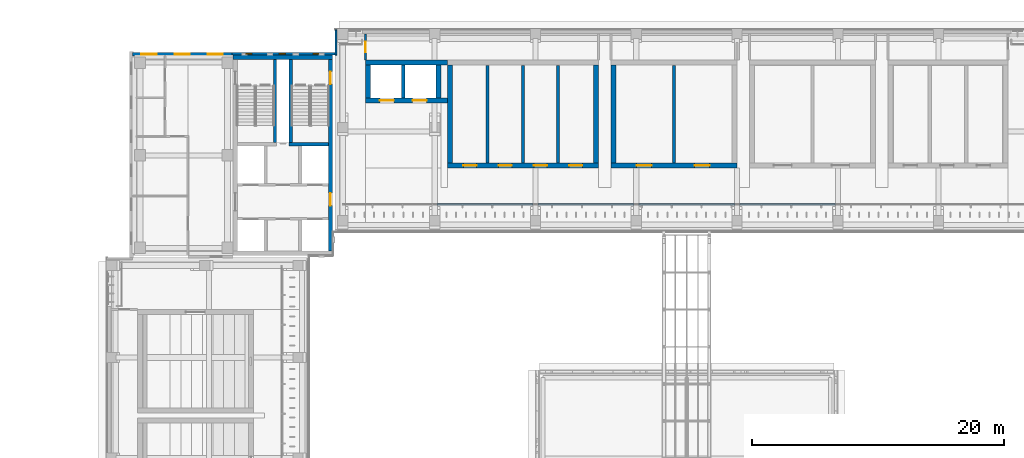
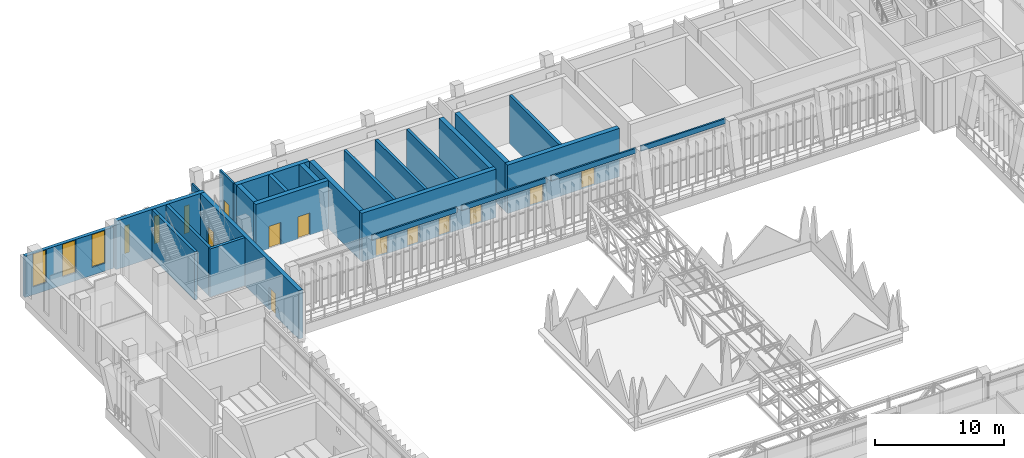
# One storey, part 111 of 141: 27 walls, 11 doors, 6 windows, 17 openings.
"""IFC4 building model written with IfcOpenShell, lengths in metres."""

from ifc_helpers import new_model, si_unit, direction, frame, frame_2d, origin, place, context, subcontext, project, spatial, rectangle, extrude, material, layer, layer_set, type_object, element, fill, save


model = new_model("IFC4")

# Units and contexts
model_context = context("Model", 3, precision=1e-05, world=origin(), true_north=direction((0.0, 1.0)))
body_context = subcontext(model_context, "Body", "Model", "MODEL_VIEW")
ifc_project = project(units=[si_unit("LENGTHUNIT", "METRE"), si_unit("AREAUNIT", "SQUARE_METRE"), si_unit("VOLUMEUNIT", "CUBIC_METRE"), si_unit("PLANEANGLEUNIT", "RADIAN"), si_unit("MASSUNIT", "GRAM", prefix="KILO")], contexts=[model_context])

# Site, building, storey
site_placement = place(None, origin())
site = spatial("IfcSite", under=ifc_project, at=site_placement, CompositionType="ELEMENT")
building_placement = place(site_placement, origin())
building = spatial("IfcBuilding", under=site, at=building_placement, Name="Lantern Court Media Centre", CompositionType="ELEMENT")
storey_placement = place(building_placement, frame((0.0, 0.0, 9.60009765625)))
storey = spatial("IfcBuildingStorey", under=building, at=storey_placement, Name="L02", CompositionType="ELEMENT", Elevation=9.60009765625)

# Walls
ifc_material_1 = material(Name="Acoustic gypsum board")
ifc_layer_1 = layer(ifc_material_1, 0.25)
ifc_layer_set_1 = layer_set([ifc_layer_1], Name="Acoustic gypsum board")
wall_type_1 = type_object("IfcWallType", Name="Acoustic partition 250", PredefinedType="PARTITIONING", material=ifc_layer_set_1)
for number, where, z_axis, x_axis, name in (
    (1, (36.199951171875, 103.455078125, 0.0), (0.0, 0.0, 1.0), (0.0, 1.0, 0.0), "L02 partition 011"),
    (2, (39.0, 103.455078125, 0.0), (0.0, 0.0, 1.0), (0.0, 1.0, 0.0), "L02 partition 012"),
    (3, (41.800048828125, 103.455078125, 0.0), (0.0, 0.0, 1.0), (0.0, 1.0, 0.0), "L02 partition 013"),
    (4, (51.0, 103.455078125, 0.0), (0.0, 0.0, 1.0), (0.0, 1.0, 0.0), "L02 partition 015"),
):
    element("IfcWall", number, at=place(storey_placement, frame(where, z_axis=z_axis, x_axis=x_axis)), inside=storey, type_object=wall_type_1, Name=name, PredefinedType="PARTITIONING", context=body_context, shape_type="SweptSolid", body=[
        extrude(rectangle(XDim=7.739990234375, YDim=0.25, at=frame_2d((3.8701171875, 0.0))), origin(), (0.0, 0.0, 1.0), 4.559814453125),
    ])
ifc_material_2 = material(Name="Insulated rendered blockwork", Category="masonry")
ifc_layer_2 = layer(ifc_material_2, 0.14990234375)
ifc_layer_set_2 = layer_set([ifc_layer_2], Name="Insulated rendered blockwork")
wall_type_2 = type_object("IfcWallType", Name="Head infill wall 150", PredefinedType="SOLIDWALL", material=ifc_layer_set_2)
for number, where, z_axis, x_axis, name in (
    (5, (32.199951171875, 100.14990234375, 4.099853515625), (0.0, 0.0, 1.0), (1.0, 0.0, 0.0), "Head infill wall N inner L02"),
    (6, (40.199951171875, 100.14990234375, 4.099853515625), (0.0, 0.0, 1.0), (1.0, 0.0, 0.0), "Head infill wall N inner L02"),
    (7, (48.199951171875, 100.14990234375, 4.099853515625), (0.0, 0.0, 1.0), (1.0, 0.0, 0.0), "Head infill wall N inner L02"),
    (8, (56.199951171875, 100.14990234375, 4.099853515625), (0.0, 0.0, 1.0), (1.0, 0.0, 0.0), "Head infill wall N inner L02"),
):
    element("IfcWall", number, at=place(storey_placement, frame(where, z_axis=z_axis, x_axis=x_axis)), inside=storey, type_object=wall_type_2, Name=name, PredefinedType="SOLIDWALL", context=body_context, shape_type="SweptSolid", body=[
        extrude(rectangle(XDim=7.60009765625, YDim=0.14990234375, at=frame_2d((3.800048828125, 0.0))), origin(), (0.0, 0.0, 1.0), 0.47998046875),
    ])

# Wall, openings, windows
ifc_material_3 = material(Name="Honed limestone cladding on blockwork", Category="masonry")
ifc_layer_3 = layer(ifc_material_3, 0.300048828125)
ifc_layer_set_3 = layer_set([ifc_layer_3], Name="Honed limestone cladding on blockwork")
wall_type_3 = type_object("IfcWallType", Name="Limestone block wall 300", PredefinedType="SOLIDWALL", material=ifc_layer_set_3)
wall_1_placement = place(storey_placement, frame((8.0, 112.070068359375, 0.0), z_axis=(0.0, 0.0, 1.0), x_axis=(1.0, 0.0, 0.0)))
wall_1 = element("IfcWall", 9, at=wall_1_placement, inside=storey, type_object=wall_type_3, Name="Limestone wall NW N L02", PredefinedType="SOLIDWALL", context=body_context, shape_type="SweptSolid", body=[
    extrude(rectangle(XDim=7.89990234375, YDim=0.300048828125, at=frame_2d((3.949951171875, 0.0))), origin(), (0.0, 0.0, 1.0), 3.89990234375),
])
opening_1_placement = place(wall_1_placement, frame((0.716552734375, 0.0, 0.75)))
opening_1 = element("IfcOpeningElement", 10, at=opening_1_placement, cuts=wall_1, Name="Opening WN-T", PredefinedType="OPENING", context=body_context, shape_type="SweptSolid", body=[
    extrude(rectangle(XDim=1.199951171875, YDim=3.10009765625, at=frame_2d((0.60009765625, 1.550048828125))), frame((0.0, 0.159912109375, 0.0), z_axis=(0.0, -1.0, 0.0), x_axis=(1.0, 0.0, 0.0)), (0.0, 0.0, 1.0), 0.320068359375),
])
opening_2_placement = place(wall_1_placement, frame((3.35009765625, 0.0, 0.75)))
opening_2 = element("IfcOpeningElement", 11, at=opening_2_placement, cuts=wall_1, Name="Opening WN-T", PredefinedType="OPENING", context=body_context, shape_type="SweptSolid", body=[
    extrude(rectangle(XDim=1.199951171875, YDim=3.10009765625, at=frame_2d((0.60009765625, 1.550048828125))), frame((0.0, 0.159912109375, 0.0), z_axis=(0.0, -1.0, 0.0), x_axis=(1.0, 0.0, 0.0)), (0.0, 0.0, 1.0), 0.320068359375),
])
opening_3_placement = place(wall_1_placement, frame((5.9833984375, 0.0, 0.75)))
opening_3 = element("IfcOpeningElement", 12, at=opening_3_placement, cuts=wall_1, Name="Opening WN-T", PredefinedType="OPENING", context=body_context, shape_type="SweptSolid", body=[
    extrude(rectangle(XDim=1.199951171875, YDim=3.10009765625, at=frame_2d((0.60009765625, 1.550048828125))), frame((0.0, 0.159912109375, 0.0), z_axis=(0.0, -1.0, 0.0), x_axis=(1.0, 0.0, 0.0)), (0.0, 0.0, 1.0), 0.320068359375),
])
ifc_material_4 = material(Name="Anodised aluminium and glass", Category="aluminium")
window_type_1 = type_object("IfcWindowType", Name="Tall window 1200x3100", PartitioningType="SINGLE_PANEL", PredefinedType="WINDOW", material=ifc_material_4)
window_1_placement = place(opening_1_placement, origin())
window_1 = element("IfcWindow", 13, at=window_1_placement, inside=storey, type_object=window_type_1, Name="Window NW N L02", OverallHeight=3.10009765625, OverallWidth=1.199951171875, PartitioningType="SINGLE_PANEL", PredefinedType="WINDOW", context=body_context, shape_type="SweptSolid", body=[
    extrude(rectangle(XDim=1.199951171875, YDim=3.10009765625, at=frame_2d((0.60009765625, 1.550048828125))), frame((0.0, 0.030029296875, 0.0), z_axis=(0.0, -1.0, 0.0), x_axis=(1.0, 0.0, 0.0)), (0.0, 0.0, 1.0), 0.06005859375),
])
fill(opening_1, window_1)
window_2_placement = place(opening_2_placement, origin())
window_2 = element("IfcWindow", 14, at=window_2_placement, inside=storey, type_object=window_type_1, Name="Window NW N L02", OverallHeight=3.10009765625, OverallWidth=1.199951171875, PartitioningType="SINGLE_PANEL", PredefinedType="WINDOW", context=body_context, shape_type="SweptSolid", body=[
    extrude(rectangle(XDim=1.199951171875, YDim=3.10009765625, at=frame_2d((0.60009765625, 1.550048828125))), frame((0.0, 0.030029296875, 0.0), z_axis=(0.0, -1.0, 0.0), x_axis=(1.0, 0.0, 0.0)), (0.0, 0.0, 1.0), 0.06005859375),
])
fill(opening_2, window_2)
window_3_placement = place(opening_3_placement, origin())
window_3 = element("IfcWindow", 15, at=window_3_placement, inside=storey, type_object=window_type_1, Name="Window NW N L02", OverallHeight=3.10009765625, OverallWidth=1.199951171875, PartitioningType="SINGLE_PANEL", PredefinedType="WINDOW", context=body_context, shape_type="SweptSolid", body=[
    extrude(rectangle(XDim=1.199951171875, YDim=3.10009765625, at=frame_2d((0.60009765625, 1.550048828125))), frame((0.0, 0.030029296875, 0.0), z_axis=(0.0, -1.0, 0.0), x_axis=(1.0, 0.0, 0.0)), (0.0, 0.0, 1.0), 0.06005859375),
])
fill(opening_3, window_3)

# Wall
ifc_layer_4 = layer(ifc_material_3, 0.139892578125)
ifc_layer_set_4 = layer_set([ifc_layer_4], Name="Honed limestone cladding on blockwork")
wall_type_4 = type_object("IfcWallType", Name="Limestone closure wall 140", PredefinedType="SOLIDWALL", material=ifc_layer_set_4)
wall_2_placement = place(storey_placement, frame((24.169921875, 112.0, 0.0), z_axis=(0.0, 0.0, 1.0), x_axis=(0.0, 1.0, 0.0)))
element("IfcWall", 16, at=wall_2_placement, inside=storey, type_object=wall_type_4, Name="Limestone closure wall N-NW L02", PredefinedType="SOLIDWALL", context=body_context, shape_type="SweptSolid", body=[
    extrude(rectangle(XDim=2.0, YDim=0.139892578125, at=frame_2d((1.0, 0.0))), origin(), (0.0, 0.0, 1.0), 3.89990234375),
])

# Wall, openings, windows
ifc_material_5 = material(Name="Honed limestone cladding on blockwork, reduced to 220 where it passes the core wall", Category="masonry")
ifc_layer_5 = layer(ifc_material_5, 0.219970703125)
ifc_layer_set_5 = layer_set([ifc_layer_5], Name="Honed limestone cladding on blockwork, reduced to 220 where it passes the core wall")
wall_type_5 = type_object("IfcWallType", Name="Limestone skin wall 220", PredefinedType="SOLIDWALL", material=ifc_layer_set_5)
wall_3_placement = place(storey_placement, frame((15.89990234375, 112.110107421875, 0.0), z_axis=(0.0, 0.0, 1.0), x_axis=(1.0, 0.0, 0.0)))
wall_3 = element("IfcWall", 17, at=wall_3_placement, inside=storey, type_object=wall_type_5, Name="Limestone wall NW N L02", PredefinedType="SOLIDWALL", context=body_context, shape_type="SweptSolid", body=[
    extrude(rectangle(XDim=8.2001953125, YDim=0.219970703125, at=frame_2d((4.10009765625, 0.0))), origin(), (0.0, 0.0, 1.0), 3.89990234375),
])
opening_4_placement = place(wall_3_placement, frame((1.1083984375, 0.0, 0.89990234375)))
opening_4 = element("IfcOpeningElement", 18, at=opening_4_placement, cuts=wall_3, Name="Opening WN-S", PredefinedType="OPENING", context=body_context, shape_type="SweptSolid", body=[
    extrude(rectangle(XDim=0.449951171875, YDim=2.60009765625, at=frame_2d((0.22509765625, 1.300048828125))), frame((0.0, 0.119873046875, 0.0), z_axis=(0.0, -1.0, 0.0), x_axis=(1.0, 0.0, 0.0)), (0.0, 0.0, 1.0), 0.239990234375),
])
opening_5_placement = place(wall_3_placement, frame((3.77490234375, 0.0, 0.89990234375)))
opening_5 = element("IfcOpeningElement", 19, at=opening_5_placement, cuts=wall_3, Name="Opening WN-S", PredefinedType="OPENING", context=body_context, shape_type="SweptSolid", body=[
    extrude(rectangle(XDim=0.449951171875, YDim=2.60009765625, at=frame_2d((0.22509765625, 1.300048828125))), frame((0.0, 0.119873046875, 0.0), z_axis=(0.0, -1.0, 0.0), x_axis=(1.0, 0.0, 0.0)), (0.0, 0.0, 1.0), 0.239990234375),
])
opening_6_placement = place(wall_3_placement, frame((6.441650390625, 0.0, 0.89990234375)))
opening_6 = element("IfcOpeningElement", 20, at=opening_6_placement, cuts=wall_3, Name="Opening WN-S", PredefinedType="OPENING", context=body_context, shape_type="SweptSolid", body=[
    extrude(rectangle(XDim=0.449951171875, YDim=2.60009765625, at=frame_2d((0.22509765625, 1.300048828125))), frame((0.0, 0.119873046875, 0.0), z_axis=(0.0, -1.0, 0.0), x_axis=(1.0, 0.0, 0.0)), (0.0, 0.0, 1.0), 0.239990234375),
])
window_type_2 = type_object("IfcWindowType", Name="Stair slit window 450x2600", PartitioningType="SINGLE_PANEL", PredefinedType="WINDOW", material=ifc_material_4)
window_4_placement = place(opening_4_placement, origin())
window_4 = element("IfcWindow", 21, at=window_4_placement, inside=storey, type_object=window_type_2, Name="Window NW N L02", OverallHeight=2.60009765625, OverallWidth=0.449951171875, PartitioningType="SINGLE_PANEL", PredefinedType="WINDOW", context=body_context, shape_type="SweptSolid", body=[
    extrude(rectangle(XDim=0.449951171875, YDim=2.60009765625, at=frame_2d((0.22509765625, 1.300048828125))), frame((0.0, 0.030029296875, 0.0), z_axis=(0.0, -1.0, 0.0), x_axis=(1.0, 0.0, 0.0)), (0.0, 0.0, 1.0), 0.06005859375),
])
fill(opening_4, window_4)
window_5_placement = place(opening_5_placement, origin())
window_5 = element("IfcWindow", 22, at=window_5_placement, inside=storey, type_object=window_type_2, Name="Window NW N L02", OverallHeight=2.60009765625, OverallWidth=0.449951171875, PartitioningType="SINGLE_PANEL", PredefinedType="WINDOW", context=body_context, shape_type="SweptSolid", body=[
    extrude(rectangle(XDim=0.449951171875, YDim=2.60009765625, at=frame_2d((0.22509765625, 1.300048828125))), frame((0.0, 0.030029296875, 0.0), z_axis=(0.0, -1.0, 0.0), x_axis=(1.0, 0.0, 0.0)), (0.0, 0.0, 1.0), 0.06005859375),
])
fill(opening_5, window_5)
window_6_placement = place(opening_6_placement, origin())
window_6 = element("IfcWindow", 23, at=window_6_placement, inside=storey, type_object=window_type_2, Name="Window NW N L02", OverallHeight=2.60009765625, OverallWidth=0.449951171875, PartitioningType="SINGLE_PANEL", PredefinedType="WINDOW", context=body_context, shape_type="SweptSolid", body=[
    extrude(rectangle(XDim=0.449951171875, YDim=2.60009765625, at=frame_2d((0.22509765625, 1.300048828125))), frame((0.0, 0.030029296875, 0.0), z_axis=(0.0, -1.0, 0.0), x_axis=(1.0, 0.0, 0.0)), (0.0, 0.0, 1.0), 0.06005859375),
])
fill(opening_6, window_6)

# Wall
ifc_material_6 = material(Name="Concrete C40", Category="concrete")
ifc_layer_6 = layer(ifc_material_6, 0.35009765625)
ifc_layer_set_6 = layer_set([ifc_layer_6], Name="Concrete C40")
wall_type_6 = type_object("IfcWallType", Name="RC CORE WALL 350", PredefinedType="SHEAR", material=ifc_layer_set_6)
wall_4_placement = place(storey_placement, frame((16.0, 111.824951171875, 0.0), z_axis=(0.0, 0.0, 1.0), x_axis=(1.0, 0.0, 0.0)))
element("IfcWall", 24, at=wall_4_placement, inside=storey, type_object=wall_type_6, Name="WC-NW-L02-N", PredefinedType="SHEAR", context=body_context, shape_type="SweptSolid", body=[
    extrude(rectangle(XDim=7.89990234375, YDim=0.35009765625, at=frame_2d((3.949951171875, 0.0))), origin(), (0.0, 0.0, 1.0), 4.579833984375),
])

# Wall, openings, doors
wall_5_placement = place(storey_placement, frame((23.72509765625, 96.449951171875, 0.0), z_axis=(0.0, 0.0, 1.0), x_axis=(0.0, 1.0, 0.0)))
wall_5 = element("IfcWall", 25, at=wall_5_placement, inside=storey, type_object=wall_type_6, Name="WC-NW-L02-E", PredefinedType="SHEAR", context=body_context, shape_type="SweptSolid", body=[
    extrude(rectangle(XDim=15.199951171875, YDim=0.35009765625, at=frame_2d((7.60009765625, 0.0))), origin(), (0.0, 0.0, 1.0), 4.579833984375),
])
opening_7_placement = place(wall_5_placement, frame((13.25, 0.0, 0.0)))
opening_7 = element("IfcOpeningElement", 26, at=opening_7_placement, cuts=wall_5, Name="Opening NW-L02-02", PredefinedType="OPENING", context=body_context, shape_type="SweptSolid", body=[
    extrude(rectangle(XDim=1.0, YDim=2.10009765625, at=frame_2d((0.5, 1.050048828125))), frame((0.0, 0.18505859375, 0.0), z_axis=(0.0, -1.0, 0.0), x_axis=(1.0, 0.0, 0.0)), (0.0, 0.0, 1.0), 0.3701171875),
])
opening_8_placement = place(wall_5_placement, frame((3.60009765625, 0.0, 0.0)))
opening_8 = element("IfcOpeningElement", 27, at=opening_8_placement, cuts=wall_5, Name="Opening NW-L02-06", PredefinedType="OPENING", context=body_context, shape_type="SweptSolid", body=[
    extrude(rectangle(XDim=1.0, YDim=2.10009765625, at=frame_2d((0.5, 1.050048828125))), frame((0.0, 0.18505859375, 0.0), z_axis=(0.0, -1.0, 0.0), x_axis=(1.0, 0.0, 0.0)), (0.0, 0.0, 1.0), 0.3701171875),
])
ifc_material_7 = material(Name="Steel door leaf", Category="steel")
door_type_1 = type_object("IfcDoorType", Name="Lift lobby single door 1000x2100", OperationType="NOTDEFINED", PredefinedType="DOOR", material=ifc_material_7)
door_1_placement = place(opening_8_placement, frame((1.0, 0.0, 0.0), z_axis=(0.0, 0.0, 1.0), x_axis=(-1.0, 0.0, 0.0)))
door_1 = element("IfcDoor", 28, at=door_1_placement, inside=storey, type_object=door_type_1, Name="L02 NW lift lobby east door", OperationType="SINGLE_SWING_LEFT", OverallHeight=2.10009765625, OverallWidth=1.0, PredefinedType="DOOR", context=body_context, shape_type="SweptSolid", body=[
    extrude(rectangle(XDim=1.0, YDim=2.10009765625, at=frame_2d((0.5, 1.050048828125))), frame((0.0, 0.02490234375, 0.0), z_axis=(0.0, -1.0, 0.0), x_axis=(1.0, 0.0, 0.0)), (0.0, 0.0, 1.0), 0.050048828125),
])
fill(opening_8, door_1)
door_type_2 = type_object("IfcDoorType", Name="Stair door 1000x2100", OperationType="NOTDEFINED", PredefinedType="DOOR", material=ifc_material_7)
door_2_placement = place(opening_7_placement, frame((1.0, 0.0, 0.0), z_axis=(0.0, 0.0, 1.0), x_axis=(-1.0, 0.0, 0.0)))
door_2 = element("IfcDoor", 29, at=door_2_placement, inside=storey, type_object=door_type_2, Name="L02 NW stair B door", OperationType="SINGLE_SWING_LEFT", OverallHeight=2.10009765625, OverallWidth=1.0, PredefinedType="DOOR", context=body_context, shape_type="SweptSolid", body=[
    extrude(rectangle(XDim=1.0, YDim=2.10009765625, at=frame_2d((0.5, 1.050048828125))), frame((0.0, 0.02490234375, 0.0), z_axis=(0.0, -1.0, 0.0), x_axis=(1.0, 0.0, 0.0)), (0.0, 0.0, 1.0), 0.050048828125),
])
fill(opening_7, door_2)

# Wall
ifc_layer_7 = layer(ifc_material_6, 0.300048828125)
ifc_layer_set_7 = layer_set([ifc_layer_7], Name="Concrete C40")
wall_type_7 = type_object("IfcWallType", Name="RC SHEAR WALL 300", PredefinedType="SHEAR", material=ifc_layer_set_7)
wall_6_placement = place(storey_placement, frame((29.5, 108.60009765625, 0.0), z_axis=(0.0, 0.0, 1.0), x_axis=(0.0, 1.0, 0.0)))
element("IfcWall", 30, at=wall_6_placement, inside=storey, type_object=wall_type_7, Name="WB-N-LC-L02-D", PredefinedType="SHEAR", context=body_context, shape_type="SweptSolid", body=[
    extrude(rectangle(XDim=2.599853515625, YDim=0.300048828125, at=frame_2d((1.2998046875, 0.0))), origin(), (0.0, 0.0, 1.0), 4.579833984375),
])

# Wall, openings, doors
ifc_layer_8 = layer(ifc_material_6, 0.39990234375)
ifc_layer_set_8 = layer_set([ifc_layer_8], Name="Concrete C40")
wall_type_8 = type_object("IfcWallType", Name="RC SHEAR WALL 400", PredefinedType="SHEAR", material=ifc_layer_set_8)
wall_7_placement = place(storey_placement, frame((26.5, 108.39990234375, 0.0), z_axis=(0.0, 0.0, 1.0), x_axis=(1.0, 0.0, 0.0)))
wall_7 = element("IfcWall", 31, at=wall_7_placement, inside=storey, type_object=wall_type_8, Name="WB-N-LC-L02-S", PredefinedType="SHEAR", context=body_context, shape_type="SweptSolid", body=[
    extrude(rectangle(XDim=6.5, YDim=0.39990234375, at=frame_2d((3.25, 0.0))), origin(), (0.0, 0.0, 1.0), 4.579833984375),
])
opening_9_placement = place(wall_7_placement, frame((1.14990234375, 0.0, 0.0)))
opening_9 = element("IfcOpeningElement", 32, at=opening_9_placement, cuts=wall_7, Name="Opening LD-N-LCP-L02", PredefinedType="OPENING", context=body_context, shape_type="SweptSolid", body=[
    extrude(rectangle(XDim=1.10009765625, YDim=2.10009765625, at=frame_2d((0.550048828125, 1.050048828125))), frame((0.0, 0.2099609375, 0.0), z_axis=(0.0, -1.0, 0.0), x_axis=(1.0, 0.0, 0.0)), (0.0, 0.0, 1.0), 0.419921875),
])
opening_10_placement = place(wall_7_placement, frame((3.75, 0.0, 0.0)))
opening_10 = element("IfcOpeningElement", 33, at=opening_10_placement, cuts=wall_7, Name="Opening LD-N-LCS-L02", PredefinedType="OPENING", context=body_context, shape_type="SweptSolid", body=[
    extrude(rectangle(XDim=1.10009765625, YDim=2.10009765625, at=frame_2d((0.550048828125, 1.050048828125))), frame((0.0, 0.2099609375, 0.0), z_axis=(0.0, -1.0, 0.0), x_axis=(1.0, 0.0, 0.0)), (0.0, 0.0, 1.0), 0.419921875),
])
door_type_3 = type_object("IfcDoorType", Name="Lift landing door 1100x2100", OperationType="DOUBLE_DOOR_SLIDING", PredefinedType="DOOR", material=ifc_material_7)
door_3_placement = place(opening_9_placement, frame((1.10009765625, 0.0, 0.0), z_axis=(0.0, 0.0, 1.0), x_axis=(-1.0, 0.0, 0.0)))
door_3 = element("IfcDoor", 34, at=door_3_placement, inside=storey, type_object=door_type_3, Name="L02 N-LC passenger lift landing door", OperationType="DOUBLE_DOOR_SLIDING", OverallHeight=2.10009765625, OverallWidth=1.10009765625, PredefinedType="DOOR", context=body_context, shape_type="SweptSolid", body=[
    extrude(rectangle(XDim=1.10009765625, YDim=2.10009765625, at=frame_2d((0.550048828125, 1.050048828125))), frame((0.0, 0.02490234375, 0.0), z_axis=(0.0, -1.0, 0.0), x_axis=(1.0, 0.0, 0.0)), (0.0, 0.0, 1.0), 0.050048828125),
])
fill(opening_9, door_3)
door_4_placement = place(opening_10_placement, frame((1.10009765625, 0.0, 0.0), z_axis=(0.0, 0.0, 1.0), x_axis=(-1.0, 0.0, 0.0)))
door_4 = element("IfcDoor", 35, at=door_4_placement, inside=storey, type_object=door_type_3, Name="L02 N-LC service lift landing door", OperationType="DOUBLE_DOOR_SLIDING", OverallHeight=2.10009765625, OverallWidth=1.10009765625, PredefinedType="DOOR", context=body_context, shape_type="SweptSolid", body=[
    extrude(rectangle(XDim=1.10009765625, YDim=2.10009765625, at=frame_2d((0.550048828125, 1.050048828125))), frame((0.0, 0.02490234375, 0.0), z_axis=(0.0, -1.0, 0.0), x_axis=(1.0, 0.0, 0.0)), (0.0, 0.0, 1.0), 0.050048828125),
])
fill(opening_10, door_4)

# Walls
wall_8_placement = place(storey_placement, frame((26.5, 111.39990234375, 0.0), z_axis=(0.0, 0.0, 1.0), x_axis=(1.0, 0.0, 0.0)))
element("IfcWall", 36, at=wall_8_placement, inside=storey, type_object=wall_type_8, Name="WB-N-LC-L02-N", PredefinedType="SHEAR", context=body_context, shape_type="SweptSolid", body=[
    extrude(rectangle(XDim=6.5, YDim=0.39990234375, at=frame_2d((3.25, 0.0))), origin(), (0.0, 0.0, 1.0), 4.579833984375),
])
for number, where, z_axis, x_axis, name in (
    (37, (26.699951171875, 108.60009765625, 0.0), (0.0, 0.0, 1.0), (0.0, 1.0, 0.0), "WB-N-LC-L02-W"),
    (38, (32.300048828125, 108.60009765625, 0.0), (0.0, 0.0, 1.0), (0.0, 1.0, 0.0), "WB-N-LC-L02-E"),
):
    element("IfcWall", number, at=place(storey_placement, frame(where, z_axis=z_axis, x_axis=x_axis)), inside=storey, type_object=wall_type_8, Name=name, PredefinedType="SHEAR", context=body_context, shape_type="SweptSolid", body=[
        extrude(rectangle(XDim=2.599853515625, YDim=0.39990234375, at=frame_2d((1.2998046875, 0.0))), origin(), (0.0, 0.0, 1.0), 4.579833984375),
    ])

# Wall, openings, doors
wall_9_placement = place(storey_placement, frame((33.0, 103.25, 0.0), z_axis=(0.0, 0.0, 1.0), x_axis=(1.0, 0.0, 0.0)))
wall_9 = element("IfcWall", 39, at=wall_9_placement, inside=storey, type_object=wall_type_8, Name="WB-N-EDA-L02-S", PredefinedType="SHEAR", context=body_context, shape_type="SweptSolid", body=[
    extrude(rectangle(XDim=12.0, YDim=0.39990234375, at=frame_2d((6.0, 0.0))), origin(), (0.0, 0.0, 1.0), 4.579833984375),
])
opening_11_placement = place(wall_9_placement, frame((1.272705078125, 0.0, 0.0)))
opening_11 = element("IfcOpeningElement", 40, at=opening_11_placement, cuts=wall_9, Name="Opening L02-007", PredefinedType="OPENING", context=body_context, shape_type="SweptSolid", body=[
    extrude(rectangle(XDim=1.050048828125, YDim=2.199951171875, at=frame_2d((0.52490234375, 1.10009765625))), frame((0.0, 0.2099609375, 0.0), z_axis=(0.0, -1.0, 0.0), x_axis=(1.0, 0.0, 0.0)), (0.0, 0.0, 1.0), 0.419921875),
])
opening_12_placement = place(wall_9_placement, frame((4.07275390625, 0.0, 0.0)))
opening_12 = element("IfcOpeningElement", 41, at=opening_12_placement, cuts=wall_9, Name="Opening L02-008", PredefinedType="OPENING", context=body_context, shape_type="SweptSolid", body=[
    extrude(rectangle(XDim=1.050048828125, YDim=2.199951171875, at=frame_2d((0.52490234375, 1.10009765625))), frame((0.0, 0.2099609375, 0.0), z_axis=(0.0, -1.0, 0.0), x_axis=(1.0, 0.0, 0.0)), (0.0, 0.0, 1.0), 0.419921875),
])
opening_13_placement = place(wall_9_placement, frame((6.872802734375, 0.0, 0.0)))
opening_13 = element("IfcOpeningElement", 42, at=opening_13_placement, cuts=wall_9, Name="Opening L02-009", PredefinedType="OPENING", context=body_context, shape_type="SweptSolid", body=[
    extrude(rectangle(XDim=1.050048828125, YDim=2.199951171875, at=frame_2d((0.52490234375, 1.10009765625))), frame((0.0, 0.2099609375, 0.0), z_axis=(0.0, -1.0, 0.0), x_axis=(1.0, 0.0, 0.0)), (0.0, 0.0, 1.0), 0.419921875),
])
opening_14_placement = place(wall_9_placement, frame((9.672607421875, 0.0, 0.0)))
opening_14 = element("IfcOpeningElement", 43, at=opening_14_placement, cuts=wall_9, Name="Opening L02-010", PredefinedType="OPENING", context=body_context, shape_type="SweptSolid", body=[
    extrude(rectangle(XDim=1.050048828125, YDim=2.199951171875, at=frame_2d((0.52490234375, 1.10009765625))), frame((0.0, 0.2099609375, 0.0), z_axis=(0.0, -1.0, 0.0), x_axis=(1.0, 0.0, 0.0)), (0.0, 0.0, 1.0), 0.419921875),
])
ifc_material_8 = material(Name="Acoustic timber door leaf", Category="wood")
door_type_4 = type_object("IfcDoorType", Name="Edit suite sound-lock door 1050x2200", OperationType="NOTDEFINED", PredefinedType="DOOR", material=ifc_material_8)
door_5_placement = place(opening_11_placement, origin())
door_5 = element("IfcDoor", 44, at=door_5_placement, inside=storey, type_object=door_type_4, Name="L02 Editing Suite 08 door", OperationType="SINGLE_SWING_RIGHT", OverallHeight=2.199951171875, OverallWidth=1.050048828125, PredefinedType="DOOR", context=body_context, shape_type="SweptSolid", body=[
    extrude(rectangle(XDim=1.050048828125, YDim=2.199951171875, at=frame_2d((0.52490234375, 1.10009765625))), frame((0.0, 0.02490234375, 0.0), z_axis=(0.0, -1.0, 0.0), x_axis=(1.0, 0.0, 0.0)), (0.0, 0.0, 1.0), 0.050048828125),
])
fill(opening_11, door_5)
door_6_placement = place(opening_12_placement, origin())
door_6 = element("IfcDoor", 45, at=door_6_placement, inside=storey, type_object=door_type_4, Name="L02 Editing Suite 09 door", OperationType="SINGLE_SWING_LEFT", OverallHeight=2.199951171875, OverallWidth=1.050048828125, PredefinedType="DOOR", context=body_context, shape_type="SweptSolid", body=[
    extrude(rectangle(XDim=1.050048828125, YDim=2.199951171875, at=frame_2d((0.52490234375, 1.10009765625))), frame((0.0, 0.02490234375, 0.0), z_axis=(0.0, -1.0, 0.0), x_axis=(1.0, 0.0, 0.0)), (0.0, 0.0, 1.0), 0.050048828125),
])
fill(opening_12, door_6)
door_7_placement = place(opening_13_placement, origin())
door_7 = element("IfcDoor", 46, at=door_7_placement, inside=storey, type_object=door_type_4, Name="L02 Editing Suite 10 door", OperationType="SINGLE_SWING_RIGHT", OverallHeight=2.199951171875, OverallWidth=1.050048828125, PredefinedType="DOOR", context=body_context, shape_type="SweptSolid", body=[
    extrude(rectangle(XDim=1.050048828125, YDim=2.199951171875, at=frame_2d((0.52490234375, 1.10009765625))), frame((0.0, 0.02490234375, 0.0), z_axis=(0.0, -1.0, 0.0), x_axis=(1.0, 0.0, 0.0)), (0.0, 0.0, 1.0), 0.050048828125),
])
fill(opening_13, door_7)
door_8_placement = place(opening_14_placement, origin())
door_8 = element("IfcDoor", 47, at=door_8_placement, inside=storey, type_object=door_type_4, Name="L02 Editing Suite 11 door", OperationType="SINGLE_SWING_LEFT", OverallHeight=2.199951171875, OverallWidth=1.050048828125, PredefinedType="DOOR", context=body_context, shape_type="SweptSolid", body=[
    extrude(rectangle(XDim=1.050048828125, YDim=2.199951171875, at=frame_2d((0.52490234375, 1.10009765625))), frame((0.0, 0.02490234375, 0.0), z_axis=(0.0, -1.0, 0.0), x_axis=(1.0, 0.0, 0.0)), (0.0, 0.0, 1.0), 0.050048828125),
])
fill(opening_14, door_8)

# Walls
for number, where, z_axis, x_axis, name in (
    (48, (33.199951171875, 103.449951171875, 0.0), (0.0, 0.0, 1.0), (0.0, 1.0, 0.0), "WB-N-EDA-L02-W"),
    (49, (44.800048828125, 103.449951171875, 0.0), (0.0, 0.0, 1.0), (0.0, 1.0, 0.0), "WB-N-EDA-L02-E"),
):
    element("IfcWall", number, at=place(storey_placement, frame(where, z_axis=z_axis, x_axis=x_axis)), inside=storey, type_object=wall_type_8, Name=name, PredefinedType="SHEAR", context=body_context, shape_type="SweptSolid", body=[
        extrude(rectangle(XDim=7.75, YDim=0.39990234375, at=frame_2d((3.875, 0.0))), origin(), (0.0, 0.0, 1.0), 4.579833984375),
    ])

# Wall, openings, doors
wall_10_placement = place(storey_placement, frame((46.0, 103.25, 0.0), z_axis=(0.0, 0.0, 1.0), x_axis=(1.0, 0.0, 0.0)))
wall_10 = element("IfcWall", 50, at=wall_10_placement, inside=storey, type_object=wall_type_8, Name="WB-N-MIX-L02-S", PredefinedType="SHEAR", context=body_context, shape_type="SweptSolid", body=[
    extrude(rectangle(XDim=10.0, YDim=0.39990234375, at=frame_2d((5.0, 0.0))), origin(), (0.0, 0.0, 1.0), 4.579833984375),
])
opening_15_placement = place(wall_10_placement, frame((2.02490234375, 0.0, 0.0)))
opening_15 = element("IfcOpeningElement", 51, at=opening_15_placement, cuts=wall_10, Name="Opening L02-011", PredefinedType="OPENING", context=body_context, shape_type="SweptSolid", body=[
    extrude(rectangle(XDim=1.199951171875, YDim=2.199951171875, at=frame_2d((0.60009765625, 1.10009765625))), frame((0.0, 0.2099609375, 0.0), z_axis=(0.0, -1.0, 0.0), x_axis=(1.0, 0.0, 0.0)), (0.0, 0.0, 1.0), 0.419921875),
])
opening_16_placement = place(wall_10_placement, frame((6.625, 0.0, 0.0)))
opening_16 = element("IfcOpeningElement", 52, at=opening_16_placement, cuts=wall_10, Name="Opening L02-012", PredefinedType="OPENING", context=body_context, shape_type="SweptSolid", body=[
    extrude(rectangle(XDim=1.199951171875, YDim=2.199951171875, at=frame_2d((0.60009765625, 1.10009765625))), frame((0.0, 0.2099609375, 0.0), z_axis=(0.0, -1.0, 0.0), x_axis=(1.0, 0.0, 0.0)), (0.0, 0.0, 1.0), 0.419921875),
])
door_type_5 = type_object("IfcDoorType", Name="Edit suite sound-lock door 1200x2200", OperationType="NOTDEFINED", PredefinedType="DOOR", material=ifc_material_8)
door_9_placement = place(opening_15_placement, origin())
door_9 = element("IfcDoor", 53, at=door_9_placement, inside=storey, type_object=door_type_5, Name="L02 Sound Mixing Suite 02 door", OperationType="SINGLE_SWING_RIGHT", OverallHeight=2.199951171875, OverallWidth=1.199951171875, PredefinedType="DOOR", context=body_context, shape_type="SweptSolid", body=[
    extrude(rectangle(XDim=1.199951171875, YDim=2.199951171875, at=frame_2d((0.60009765625, 1.10009765625))), frame((0.0, 0.02490234375, 0.0), z_axis=(0.0, -1.0, 0.0), x_axis=(1.0, 0.0, 0.0)), (0.0, 0.0, 1.0), 0.050048828125),
])
fill(opening_15, door_9)
door_10_placement = place(opening_16_placement, origin())
door_10 = element("IfcDoor", 54, at=door_10_placement, inside=storey, type_object=door_type_5, Name="L02 Colour Grading Suite 02 door", OperationType="SINGLE_SWING_LEFT", OverallHeight=2.199951171875, OverallWidth=1.199951171875, PredefinedType="DOOR", context=body_context, shape_type="SweptSolid", body=[
    extrude(rectangle(XDim=1.199951171875, YDim=2.199951171875, at=frame_2d((0.60009765625, 1.10009765625))), frame((0.0, 0.02490234375, 0.0), z_axis=(0.0, -1.0, 0.0), x_axis=(1.0, 0.0, 0.0)), (0.0, 0.0, 1.0), 0.050048828125),
])
fill(opening_16, door_10)

# Walls
wall_11_placement = place(storey_placement, frame((46.199951171875, 103.449951171875, 0.0), z_axis=(0.0, 0.0, 1.0), x_axis=(0.0, 1.0, 0.0)))
element("IfcWall", 55, at=wall_11_placement, inside=storey, type_object=wall_type_8, Name="WB-N-MIX-L02-W", PredefinedType="SHEAR", context=body_context, shape_type="SweptSolid", body=[
    extrude(rectangle(XDim=7.75, YDim=0.39990234375, at=frame_2d((3.875, 0.0))), origin(), (0.0, 0.0, 1.0), 4.579833984375),
])
ifc_layer_9 = layer(ifc_material_6, 0.25)
ifc_layer_set_9 = layer_set([ifc_layer_9], Name="Concrete C40")
wall_type_9 = type_object("IfcWallType", Name="RC stair shaft wall 250", PredefinedType="SOLIDWALL", material=ifc_layer_set_9)
for number, where, z_axis, x_axis, name in (
    (56, (19.324951171875, 111.64990234375, 0.0), (0.0, 0.0, 1.0), (0.0, -1.0, 0.0), "L02 NW SA"),
    (57, (20.574951171875, 111.64990234375, 0.0), (0.0, 0.0, 1.0), (0.0, -1.0, 0.0), "L02 NW SB"),
):
    element("IfcWall", number, at=place(storey_placement, frame(where, z_axis=z_axis, x_axis=x_axis)), inside=storey, type_object=wall_type_9, Name=name, PredefinedType="SOLIDWALL", context=body_context, shape_type="SweptSolid", body=[
        extrude(rectangle(XDim=6.599853515625, YDim=0.25, at=frame_2d((3.2998046875, 0.0))), origin(), (0.0, 0.0, 1.0), 4.5498046875),
    ])
wall_12_placement = place(storey_placement, frame((20.449951171875, 104.925048828125, 0.0), z_axis=(0.0, 0.0, 1.0), x_axis=(1.0, 0.0, 0.0)))
element("IfcWall", 58, at=wall_12_placement, inside=storey, type_object=wall_type_9, Name="L02 NW SN2", PredefinedType="SOLIDWALL", context=body_context, shape_type="SweptSolid", body=[
    extrude(rectangle(XDim=3.10009765625, YDim=0.25, at=frame_2d((1.550048828125, 0.0))), origin(), (0.0, 0.0, 1.0), 4.5498046875),
])

# Wall, opening, door
ifc_material_9 = material(Name="Fire-rated gypsum board")
ifc_layer_10 = layer(ifc_material_9, 0.159912109375)
ifc_layer_set_10 = layer_set([ifc_layer_10], Name="Fire-rated gypsum board")
wall_type_10 = type_object("IfcWallType", Name="Riser shaft liner wall 160", PredefinedType="PARTITIONING", material=ifc_layer_set_10)
wall_13_placement = place(storey_placement, frame((26.5, 111.60498046875, 0.0), z_axis=(0.0, 0.0, 1.0), x_axis=(0.0, 1.0, 0.0)))
wall_13 = element("IfcWall", 59, at=wall_13_placement, inside=storey, type_object=wall_type_10, Name="L02 partition 001", PredefinedType="PARTITIONING", context=body_context, shape_type="SweptSolid", body=[
    extrude(rectangle(XDim=2.090087890625, YDim=0.159912109375, at=frame_2d((1.044921875, 0.0))), origin(), (0.0, 0.0, 1.0), 4.559814453125),
])
opening_17_placement = place(wall_13_placement, frame((0.64501953125, 0.0, 0.0)))
opening_17 = element("IfcOpeningElement", 60, at=opening_17_placement, cuts=wall_13, Name="Opening L02-006", PredefinedType="OPENING", context=body_context, shape_type="SweptSolid", body=[
    extrude(rectangle(XDim=0.800048828125, YDim=2.10009765625, at=frame_2d((0.39990234375, 1.050048828125))), frame((0.0, 0.08984375, 0.0), z_axis=(0.0, -1.0, 0.0), x_axis=(1.0, 0.0, 0.0)), (0.0, 0.0, 1.0), 0.179931640625),
])
door_type_6 = type_object("IfcDoorType", Name="Riser access fire door 800x2100", OperationType="NOTDEFINED", PredefinedType="DOOR", material=ifc_material_7)
door_11_placement = place(opening_17_placement, frame((0.800048828125, 0.0, 0.0), z_axis=(0.0, 0.0, 1.0), x_axis=(-1.0, 0.0, 0.0)))
door_11 = element("IfcDoor", 61, at=door_11_placement, inside=storey, type_object=door_type_6, Name="L02 Services Duct door", OperationType="SINGLE_SWING_LEFT", OverallHeight=2.10009765625, OverallWidth=0.800048828125, PredefinedType="DOOR", context=body_context, shape_type="SweptSolid", body=[
    extrude(rectangle(XDim=0.800048828125, YDim=2.10009765625, at=frame_2d((0.39990234375, 1.050048828125))), frame((0.0, 0.02490234375, 0.0), z_axis=(0.0, -1.0, 0.0), x_axis=(1.0, 0.0, 0.0)), (0.0, 0.0, 1.0), 0.050048828125),
])
fill(opening_17, door_11)

save(model, "model.ifc")
